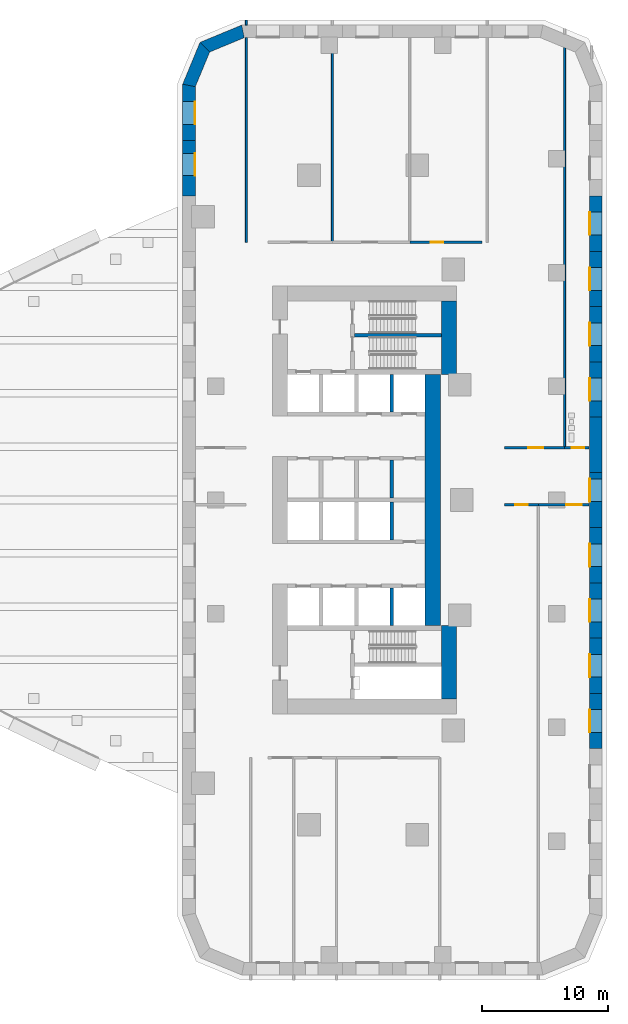
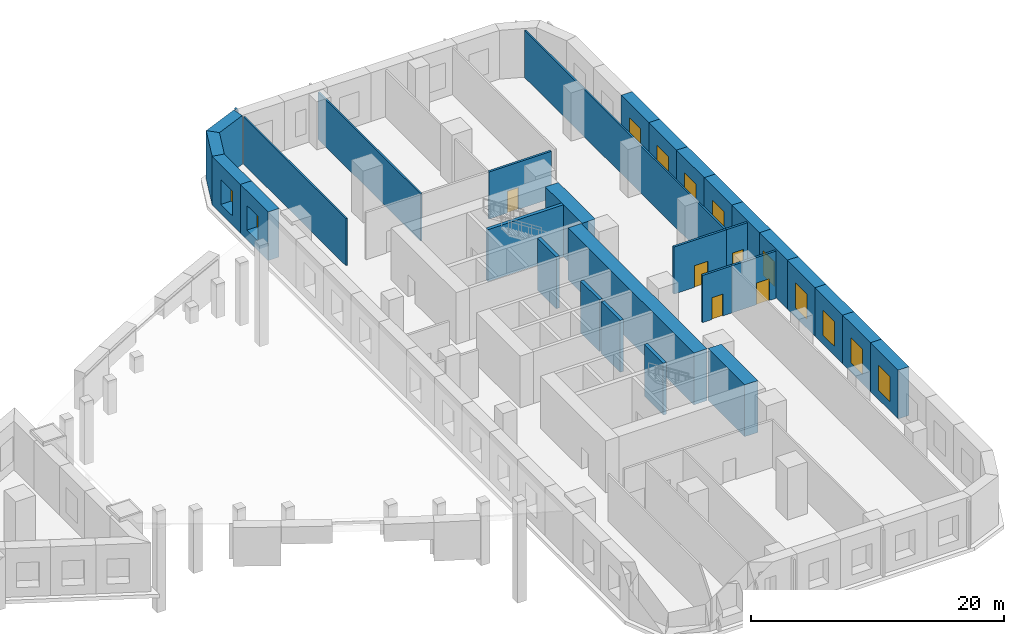
# One storey, part 5 of 11: 31 walls, 11 windows, 5 doors, 16 openings.
"""IFC4 building model written with IfcOpenShell, lengths in metres."""

from ifc_helpers import new_model, si_unit, direction, frame, frame_2d, origin, place, context, subcontext, project, spatial, polyline, rectangle, outline, extrude, material, layer, layer_set, type_object, element, fill, save


model = new_model("IFC4")

# Units and contexts
model_context = context("Model", 3, precision=1e-05, world=origin(), true_north=direction((0.0, 1.0)))
body_context = subcontext(model_context, "Body", "Model", "MODEL_VIEW")
ifc_project = project(units=[si_unit("LENGTHUNIT", "METRE"), si_unit("AREAUNIT", "SQUARE_METRE"), si_unit("VOLUMEUNIT", "CUBIC_METRE"), si_unit("PLANEANGLEUNIT", "RADIAN"), si_unit("MASSUNIT", "GRAM", prefix="KILO")], contexts=[model_context])

# Site, building, storey
site_placement = place(None, origin())
site = spatial("IfcSite", under=ifc_project, at=site_placement, CompositionType="ELEMENT")
building_placement = place(site_placement, origin())
building = spatial("IfcBuilding", under=site, at=building_placement, Name="Ostrand Prow Hotel Tower", CompositionType="ELEMENT")
storey_placement = place(building_placement, frame((0.0, 0.0, 24.0)))
storey = spatial("IfcBuildingStorey", under=building, at=storey_placement, Name="L04", CompositionType="ELEMENT", Elevation=24.0)

# Walls
ifc_material_1 = material(Name="Concrete C80/95", Category="concrete")
ifc_layer_1 = layer(ifc_material_1, 1.199951171875)
ifc_layer_set_1 = layer_set([ifc_layer_1], Name="Concrete C80/95")
wall_type_1 = type_object("IfcWallType", Name="Core wall 1200 C80/95", PredefinedType="SHEAR", material=ifc_layer_set_1)
for number, where, z_axis, x_axis, name in (
    (1, (63.47998046875, 9.949951171875, 0.0), (0.0, 0.0, 1.0), (0.0, 1.0, 0.0), "Core wall CW-E-N"),
    (2, (63.47998046875, -15.75, 0.0), (0.0, 0.0, 1.0), (0.0, 1.0, 0.0), "Core wall CW-E-S"),
):
    element("IfcWall", number, at=place(storey_placement, frame(where, z_axis=z_axis, x_axis=x_axis)), inside=storey, type_object=wall_type_1, Name=name, PredefinedType="SHEAR", context=body_context, shape_type="SweptSolid", body=[
        extrude(rectangle(XDim=5.800048828125, YDim=1.199951171875, at=frame_2d((2.89990234375, 0.0))), origin(), (0.0, 0.0, 1.0), 5.0),
    ])
wall_1_placement = place(storey_placement, frame((62.199951171875, -9.949951171875, 0.0), z_axis=(0.0, 0.0, 1.0), x_axis=(0.0, 1.0, 0.0)))
element("IfcWall", 3, at=wall_1_placement, inside=storey, type_object=wall_type_1, Name="Core wall CW-E-C", PredefinedType="SHEAR", context=body_context, shape_type="SweptSolid", body=[
    extrude(rectangle(XDim=19.89990234375, YDim=1.199951171875, at=frame_2d((9.949951171875, 0.0))), origin(), (0.0, 0.0, 1.0), 5.0),
])
ifc_material_2 = material(Name="Concrete C80/95", Category="concrete")
ifc_layer_2 = layer(ifc_material_2, 0.300048828125)
ifc_layer_set_2 = layer_set([ifc_layer_2], Name="Concrete C80/95")
wall_type_2 = type_object("IfcWallType", Name="Core wall 300 C80/95", PredefinedType="SHEAR", material=ifc_layer_set_2)
for number, where, z_axis, x_axis, name in (
    (4, (58.949951171875, 0.14990234375, 0.0), (0.0, 0.0, 1.0), (0.0, 1.0, 0.0), "Core wall PW-R3-NB"),
    (5, (58.949951171875, 6.949951171875, 0.0), (0.0, 0.0, 1.0), (0.0, 1.0, 0.0), "Core wall PW-R3-NA"),
    (6, (58.949951171875, -3.14990234375, 0.0), (0.0, 0.0, 1.0), (0.0, 1.0, 0.0), "Core wall PW-R3-SB"),
    (7, (58.949951171875, -9.949951171875, 0.0), (0.0, 0.0, 1.0), (0.0, 1.0, 0.0), "Core wall PW-R3-SA"),
):
    element("IfcWall", number, at=place(storey_placement, frame(where, z_axis=z_axis, x_axis=x_axis)), inside=storey, type_object=wall_type_2, Name=name, PredefinedType="SHEAR", context=body_context, shape_type="SweptSolid", body=[
        extrude(rectangle(XDim=3.0, YDim=0.300048828125, at=frame_2d((1.5, 0.0))), origin(), (0.0, 0.0, 1.0), 5.0),
    ])
wall_2_placement = place(storey_placement, frame((56.0, 13.050048828125, 0.0), z_axis=(0.0, 0.0, 1.0), x_axis=(1.0, 0.0, 0.0)))
element("IfcWall", 8, at=wall_2_placement, inside=storey, type_object=wall_type_2, Name="Core wall PW-ST13", PredefinedType="SHEAR", context=body_context, shape_type="SweptSolid", body=[
    extrude(rectangle(XDim=6.8798828125, YDim=0.300048828125, at=frame_2d((3.43994140625, 0.0))), origin(), (0.0, 0.0, 1.0), 5.0),
])
ifc_material_3 = material(Name="Plasterboard partition")
ifc_layer_3 = layer(ifc_material_3, 0.14990234375)
ifc_layer_set_3 = layer_set([ifc_layer_3], Name="Plasterboard partition")
wall_type_3 = type_object("IfcWallType", Name="Partition 150 room partition", PredefinedType="PARTITIONING", material=ifc_layer_set_3)
wall_3_placement = place(storey_placement, frame((47.43994140625, 20.39990234375, 0.0), z_axis=(0.0, 0.0, 1.0), x_axis=(0.0, 1.0, 0.0)))
element("IfcWall", 9, at=wall_3_placement, inside=storey, type_object=wall_type_3, Name="ROOM PARTITION", PredefinedType="PARTITIONING", context=body_context, shape_type="SweptSolid", body=[
    extrude(rectangle(XDim=16.2001953125, YDim=0.14990234375, at=frame_2d((8.10009765625, 0.0))), origin(), (0.0, 0.0, 1.0), 4.550048828125),
])
wall_4_placement = place(storey_placement, frame((47.43994140625, 37.60009765625, 0.0), z_axis=(0.0, 0.0, 1.0), x_axis=(0.0, 1.0, 0.0)))
element("IfcWall", 10, at=wall_4_placement, inside=storey, type_object=wall_type_3, Name="ROOM PARTITION", PredefinedType="PARTITIONING", context=body_context, shape_type="SweptSolid", body=[
    extrude(rectangle(XDim=0.39990234375, YDim=0.14990234375, at=frame_2d((0.199951171875, 0.0))), origin(), (0.0, 0.0, 1.0), 4.550048828125),
])
wall_5_placement = place(storey_placement, frame((54.252197265625, 20.39990234375, 0.0), z_axis=(0.0, 0.0, 1.0), x_axis=(0.0, 1.0, 0.0)))
element("IfcWall", 11, at=wall_5_placement, inside=storey, type_object=wall_type_3, Name="ROOM PARTITION", PredefinedType="PARTITIONING", context=body_context, shape_type="SweptSolid", body=[
    extrude(rectangle(XDim=16.2001953125, YDim=0.14990234375, at=frame_2d((8.10009765625, 0.0))), origin(), (0.0, 0.0, 1.0), 4.550048828125),
])
wall_6_placement = place(storey_placement, frame((72.630615234375, 4.138671875, 0.0), z_axis=(0.0, 0.0, 1.0), x_axis=(0.0, 1.0, 0.0)))
element("IfcWall", 12, at=wall_6_placement, inside=storey, type_object=wall_type_3, Name="ROOM PARTITION", PredefinedType="PARTITIONING", context=body_context, shape_type="SweptSolid", body=[
    extrude(rectangle(XDim=31.67041015625, YDim=0.14990234375, at=frame_2d((15.835205078125, 0.0))), origin(), (0.0, 0.0, 1.0), 4.550048828125),
])

# Wall, opening, door
ifc_material_4 = material(Name="Plasterboard partition")
ifc_layer_4 = layer(ifc_material_4, 0.199951171875)
ifc_layer_set_4 = layer_set([ifc_layer_4], Name="Plasterboard partition")
wall_type_4 = type_object("IfcWallType", Name="Partition 200 corridor wall", PredefinedType="PARTITIONING", material=ifc_layer_set_4)
wall_7_placement = place(storey_placement, frame((67.85888671875, -0.376220703125, 0.0), z_axis=(0.0, 0.0, 1.0), x_axis=(1.0, 0.0, 0.0)))
wall_7 = element("IfcWall", 13, at=wall_7_placement, inside=storey, type_object=wall_type_4, Name="CORRIDOR WALL", PredefinedType="PARTITIONING", context=body_context, shape_type="SweptSolid", body=[
    extrude(rectangle(XDim=2.701171875, YDim=0.199951171875, at=frame_2d((1.3505859375, 0.0))), origin(), (0.0, 0.0, 1.0), 4.550048828125),
])
opening_1_placement = place(wall_7_placement, frame((0.8505859375, 0.0, 0.0)))
opening_1 = element("IfcOpeningElement", 14, at=opening_1_placement, cuts=wall_7, Name="Opening D1R", PredefinedType="OPENING", context=body_context, shape_type="SweptSolid", body=[
    extrude(rectangle(XDim=1.0, YDim=2.10009765625, at=frame_2d((0.5, 1.050048828125))), frame((0.0, 0.10986328125, 0.0), z_axis=(0.0, -1.0, 0.0), x_axis=(1.0, 0.0, 0.0)), (0.0, 0.0, 1.0), 0.219970703125),
])
ifc_material_5 = material(Name="Timber door leaf", Category="wood")
door_type_1 = type_object("IfcDoorType", Name="Guest room door 1000 right", OperationType="SINGLE_SWING_RIGHT", PredefinedType="DOOR", material=ifc_material_5)
door_1_placement = place(opening_1_placement, origin())
door_1 = element("IfcDoor", 15, at=door_1_placement, inside=storey, type_object=door_type_1, Name="DOOR", OperationType="SINGLE_SWING_RIGHT", OverallHeight=2.10009765625, OverallWidth=1.0, PredefinedType="DOOR", context=body_context, shape_type="SweptSolid", body=[
    extrude(rectangle(XDim=1.0, YDim=2.10009765625, at=frame_2d((0.5, 1.050048828125))), frame((0.0, 0.02490234375, 0.0), z_axis=(0.0, -1.0, 0.0), x_axis=(1.0, 0.0, 0.0)), (0.0, 0.0, 1.0), 0.050048828125),
])
fill(opening_1, door_1)

wall_8_placement = place(storey_placement, frame((70.56005859375, -0.376220703125, 0.0), z_axis=(0.0, 0.0, 1.0), x_axis=(1.0, 0.0, 0.0)))
wall_8 = element("IfcWall", 16, at=wall_8_placement, inside=storey, type_object=wall_type_4, Name="CORRIDOR WALL", PredefinedType="PARTITIONING", context=body_context, shape_type="SweptSolid", body=[
    extrude(rectangle(XDim=4.010009765625, YDim=0.199951171875, at=frame_2d((2.0048828125, 0.0))), origin(), (0.0, 0.0, 1.0), 4.550048828125),
])
opening_2_placement = place(wall_8_placement, frame((2.219970703125, 0.0, 0.0)))
opening_2 = element("IfcOpeningElement", 17, at=opening_2_placement, cuts=wall_8, Name="Opening D12", PredefinedType="OPENING", context=body_context, shape_type="SweptSolid", body=[
    extrude(rectangle(XDim=1.199951171875, YDim=2.10009765625, at=frame_2d((0.60009765625, 1.050048828125))), frame((0.0, 0.10986328125, 0.0), z_axis=(0.0, -1.0, 0.0), x_axis=(1.0, 0.0, 0.0)), (0.0, 0.0, 1.0), 0.219970703125),
])
ifc_material_6 = material(Name="Steel service door", Category="steel")
door_type_2 = type_object("IfcDoorType", Name="Service door 1200", OperationType="SINGLE_SWING_RIGHT", PredefinedType="DOOR", material=ifc_material_6)
door_2_placement = place(opening_2_placement, origin())
door_2 = element("IfcDoor", 18, at=door_2_placement, inside=storey, type_object=door_type_2, Name="DOOR", OperationType="SINGLE_SWING_RIGHT", OverallHeight=2.10009765625, OverallWidth=1.199951171875, PredefinedType="DOOR", context=body_context, shape_type="SweptSolid", body=[
    extrude(rectangle(XDim=1.199951171875, YDim=2.10009765625, at=frame_2d((0.60009765625, 1.050048828125))), frame((0.0, 0.02490234375, 0.0), z_axis=(0.0, -1.0, 0.0), x_axis=(1.0, 0.0, 0.0)), (0.0, 0.0, 1.0), 0.050048828125),
])
fill(opening_2, door_2)

wall_9_placement = place(storey_placement, frame((67.85888671875, 4.138671875, 0.0), z_axis=(0.0, 0.0, 1.0), x_axis=(1.0, 0.0, 0.0)))
wall_9 = element("IfcWall", 19, at=wall_9_placement, inside=storey, type_object=wall_type_4, Name="CORRIDOR WALL", PredefinedType="PARTITIONING", context=body_context, shape_type="SweptSolid", body=[
    extrude(rectangle(XDim=4.771728515625, YDim=0.199951171875, at=frame_2d((2.3857421875, 0.0))), origin(), (0.0, 0.0, 1.0), 4.550048828125),
])
opening_3_placement = place(wall_9_placement, frame((1.8857421875, 0.0, 0.0)))
opening_3 = element("IfcOpeningElement", 20, at=opening_3_placement, cuts=wall_9, Name="Opening D12", PredefinedType="OPENING", context=body_context, shape_type="SweptSolid", body=[
    extrude(rectangle(XDim=1.199951171875, YDim=2.10009765625, at=frame_2d((0.60009765625, 1.050048828125))), frame((0.0, 0.10986328125, 0.0), z_axis=(0.0, -1.0, 0.0), x_axis=(1.0, 0.0, 0.0)), (0.0, 0.0, 1.0), 0.219970703125),
])
door_3_placement = place(opening_3_placement, origin())
door_3 = element("IfcDoor", 21, at=door_3_placement, inside=storey, type_object=door_type_2, Name="DOOR", OperationType="SINGLE_SWING_RIGHT", OverallHeight=2.10009765625, OverallWidth=1.199951171875, PredefinedType="DOOR", context=body_context, shape_type="SweptSolid", body=[
    extrude(rectangle(XDim=1.199951171875, YDim=2.10009765625, at=frame_2d((0.60009765625, 1.050048828125))), frame((0.0, 0.02490234375, 0.0), z_axis=(0.0, -1.0, 0.0), x_axis=(1.0, 0.0, 0.0)), (0.0, 0.0, 1.0), 0.050048828125),
])
fill(opening_3, door_3)

wall_10_placement = place(storey_placement, frame((72.630615234375, 4.138671875, 0.0), z_axis=(0.0, 0.0, 1.0), x_axis=(1.0, 0.0, 0.0)))
wall_10 = element("IfcWall", 22, at=wall_10_placement, inside=storey, type_object=wall_type_4, Name="CORRIDOR WALL", PredefinedType="PARTITIONING", context=body_context, shape_type="SweptSolid", body=[
    extrude(rectangle(XDim=1.939453125, YDim=0.199951171875, at=frame_2d((0.9697265625, 0.0))), origin(), (0.0, 0.0, 1.0), 4.550048828125),
])
opening_4_placement = place(wall_10_placement, frame((0.572021484375, 0.0, 0.0)))
opening_4 = element("IfcOpeningElement", 23, at=opening_4_placement, cuts=wall_10, Name="Opening D1R", PredefinedType="OPENING", context=body_context, shape_type="SweptSolid", body=[
    extrude(rectangle(XDim=1.0, YDim=2.10009765625, at=frame_2d((0.5, 1.050048828125))), frame((0.0, 0.10986328125, 0.0), z_axis=(0.0, -1.0, 0.0), x_axis=(1.0, 0.0, 0.0)), (0.0, 0.0, 1.0), 0.219970703125),
])
door_4_placement = place(opening_4_placement, origin())
door_4 = element("IfcDoor", 24, at=door_4_placement, inside=storey, type_object=door_type_1, Name="DOOR", OperationType="SINGLE_SWING_RIGHT", OverallHeight=2.10009765625, OverallWidth=1.0, PredefinedType="DOOR", context=body_context, shape_type="SweptSolid", body=[
    extrude(rectangle(XDim=1.0, YDim=2.10009765625, at=frame_2d((0.5, 1.050048828125))), frame((0.0, 0.02490234375, 0.0), z_axis=(0.0, -1.0, 0.0), x_axis=(1.0, 0.0, 0.0)), (0.0, 0.0, 1.0), 0.050048828125),
])
fill(opening_4, door_4)

wall_11_placement = place(storey_placement, frame((66.090087890625, 20.39990234375, 0.0), z_axis=(0.0, 0.0, 1.0), x_axis=(-1.0, 0.0, 0.0)))
wall_11 = element("IfcWall", 25, at=wall_11_placement, inside=storey, type_object=wall_type_4, Name="CORRIDOR WALL", PredefinedType="PARTITIONING", context=body_context, shape_type="SweptSolid", body=[
    extrude(rectangle(XDim=5.711669921875, YDim=0.199951171875, at=frame_2d((2.85595703125, 0.0))), origin(), (0.0, 0.0, 1.0), 4.550048828125),
])
opening_5_placement = place(wall_11_placement, frame((3.050048828125, 0.0, 0.0)))
opening_5 = element("IfcOpeningElement", 26, at=opening_5_placement, cuts=wall_11, Name="Opening D1R", PredefinedType="OPENING", context=body_context, shape_type="SweptSolid", body=[
    extrude(rectangle(XDim=1.0, YDim=2.10009765625, at=frame_2d((0.5, 1.050048828125))), frame((0.0, 0.10986328125, 0.0), z_axis=(0.0, -1.0, 0.0), x_axis=(1.0, 0.0, 0.0)), (0.0, 0.0, 1.0), 0.219970703125),
])
door_5_placement = place(opening_5_placement, origin())
door_5 = element("IfcDoor", 27, at=door_5_placement, inside=storey, type_object=door_type_1, Name="DOOR", OperationType="SINGLE_SWING_RIGHT", OverallHeight=2.10009765625, OverallWidth=1.0, PredefinedType="DOOR", context=body_context, shape_type="SweptSolid", body=[
    extrude(rectangle(XDim=1.0, YDim=2.10009765625, at=frame_2d((0.5, 1.050048828125))), frame((0.0, 0.02490234375, 0.0), z_axis=(0.0, -1.0, 0.0), x_axis=(1.0, 0.0, 0.0)), (0.0, 0.0, 1.0), 0.050048828125),
])
fill(opening_5, door_5)

# Wall, opening, window
ifc_material_7 = material(Name="Precast concrete C40/50", Category="concrete")
ifc_layer_5 = layer(ifc_material_7, 1.0)
ifc_layer_set_5 = layer_set([ifc_layer_5], Name="Precast concrete C40/50")
wall_type_5 = type_object("IfcWallType", Name="Portal pier wall 1000 mm", PredefinedType="NOTDEFINED", material=ifc_layer_set_5)
wall_12_placement = place(storey_placement, frame((75.10009765625, -19.692626953125, 0.0), z_axis=(0.0, 0.0, 1.0), x_axis=(0.0, 1.0, 0.0)))
wall_12 = element("IfcWall", 28, at=wall_12_placement, inside=storey, type_object=wall_type_5, Name="Portal pier wall L04-PP111", PredefinedType="NOTDEFINED", context=body_context, shape_type="SweptSolid", body=[
    extrude(outline(polyline([(0.0, -0.5), (4.376220703125, -0.5), (4.376220703125, 0.5), (0.0, 0.5), (0.0, -0.5)])), origin(), (0.0, 0.0, 1.0), 4.699951171875),
])
opening_6_placement = place(wall_12_placement, frame((1.2880859375, 0.0, 0.89990234375)))
opening_6 = element("IfcOpeningElement", 29, at=opening_6_placement, cuts=wall_12, Name="Opening WP2", PredefinedType="OPENING", context=body_context, shape_type="SweptSolid", body=[
    extrude(rectangle(XDim=1.800048828125, YDim=2.39990234375, at=frame_2d((0.89990234375, 1.199951171875))), frame((0.0, 0.510009765625, 0.0), z_axis=(0.0, -1.0, 0.0), x_axis=(1.0, 0.0, 0.0)), (0.0, 0.0, 1.0), 1.02001953125),
])
ifc_material_8 = material(Name="Insulated glass in bronze anodised frame", Category="glass")
window_type = type_object("IfcWindowType", Name="Portal window 1800x2400", PartitioningType="SINGLE_PANEL", PredefinedType="WINDOW", material=ifc_material_8)
window_1_placement = place(opening_6_placement, origin())
window_1 = element("IfcWindow", 30, at=window_1_placement, inside=storey, type_object=window_type, Name="Portal window L04-PP111", OverallHeight=2.39990234375, OverallWidth=1.800048828125, PartitioningType="SINGLE_PANEL", PredefinedType="WINDOW", context=body_context, shape_type="SweptSolid", body=[
    extrude(rectangle(XDim=1.800048828125, YDim=2.39990234375, at=frame_2d((0.89990234375, 1.199951171875))), frame((0.0, 0.5, 0.0), z_axis=(0.0, -1.0, 0.0), x_axis=(1.0, 0.0, 0.0)), (0.0, 0.0, 1.0), 0.06005859375),
])
fill(opening_6, window_1)

wall_13_placement = place(storey_placement, frame((75.10009765625, -15.31640625, 0.0), z_axis=(0.0, 0.0, 1.0), x_axis=(0.0, 1.0, 0.0)))
wall_13 = element("IfcWall", 31, at=wall_13_placement, inside=storey, type_object=wall_type_5, Name="Portal pier wall L04-PP112", PredefinedType="NOTDEFINED", context=body_context, shape_type="SweptSolid", body=[
    extrude(outline(polyline([(0.0, -0.5), (4.376220703125, -0.5), (4.376220703125, 0.5), (0.0, 0.5), (0.0, -0.5)])), origin(), (0.0, 0.0, 1.0), 4.699951171875),
])
opening_7_placement = place(wall_13_placement, frame((1.2880859375, 0.0, 0.89990234375)))
opening_7 = element("IfcOpeningElement", 32, at=opening_7_placement, cuts=wall_13, Name="Opening WP2", PredefinedType="OPENING", context=body_context, shape_type="SweptSolid", body=[
    extrude(rectangle(XDim=1.800048828125, YDim=2.39990234375, at=frame_2d((0.89990234375, 1.199951171875))), frame((0.0, 0.510009765625, 0.0), z_axis=(0.0, -1.0, 0.0), x_axis=(1.0, 0.0, 0.0)), (0.0, 0.0, 1.0), 1.02001953125),
])
window_2_placement = place(opening_7_placement, origin())
window_2 = element("IfcWindow", 33, at=window_2_placement, inside=storey, type_object=window_type, Name="Portal window L04-PP112", OverallHeight=2.39990234375, OverallWidth=1.800048828125, PartitioningType="SINGLE_PANEL", PredefinedType="WINDOW", context=body_context, shape_type="SweptSolid", body=[
    extrude(rectangle(XDim=1.800048828125, YDim=2.39990234375, at=frame_2d((0.89990234375, 1.199951171875))), frame((0.0, 0.5, 0.0), z_axis=(0.0, -1.0, 0.0), x_axis=(1.0, 0.0, 0.0)), (0.0, 0.0, 1.0), 0.06005859375),
])
fill(opening_7, window_2)

wall_14_placement = place(storey_placement, frame((75.10009765625, -10.940185546875, 0.0), z_axis=(0.0, 0.0, 1.0), x_axis=(0.0, 1.0, 0.0)))
wall_14 = element("IfcWall", 34, at=wall_14_placement, inside=storey, type_object=wall_type_5, Name="Portal pier wall L04-PP113", PredefinedType="NOTDEFINED", context=body_context, shape_type="SweptSolid", body=[
    extrude(outline(polyline([(0.0, -0.5), (4.3759765625, -0.5), (4.3759765625, 0.5), (0.0, 0.5), (0.0, -0.5)])), origin(), (0.0, 0.0, 1.0), 4.699951171875),
])
opening_8_placement = place(wall_14_placement, frame((1.2880859375, 0.0, 0.89990234375)))
opening_8 = element("IfcOpeningElement", 35, at=opening_8_placement, cuts=wall_14, Name="Opening WP2", PredefinedType="OPENING", context=body_context, shape_type="SweptSolid", body=[
    extrude(rectangle(XDim=1.800048828125, YDim=2.39990234375, at=frame_2d((0.89990234375, 1.199951171875))), frame((0.0, 0.510009765625, 0.0), z_axis=(0.0, -1.0, 0.0), x_axis=(1.0, 0.0, 0.0)), (0.0, 0.0, 1.0), 1.02001953125),
])
window_3_placement = place(opening_8_placement, origin())
window_3 = element("IfcWindow", 36, at=window_3_placement, inside=storey, type_object=window_type, Name="Portal window L04-PP113", OverallHeight=2.39990234375, OverallWidth=1.800048828125, PartitioningType="SINGLE_PANEL", PredefinedType="WINDOW", context=body_context, shape_type="SweptSolid", body=[
    extrude(rectangle(XDim=1.800048828125, YDim=2.39990234375, at=frame_2d((0.89990234375, 1.199951171875))), frame((0.0, 0.5, 0.0), z_axis=(0.0, -1.0, 0.0), x_axis=(1.0, 0.0, 0.0)), (0.0, 0.0, 1.0), 0.06005859375),
])
fill(opening_8, window_3)

wall_15_placement = place(storey_placement, frame((75.10009765625, -6.564208984375, 0.0), z_axis=(0.0, 0.0, 1.0), x_axis=(0.0, 1.0, 0.0)))
wall_15 = element("IfcWall", 37, at=wall_15_placement, inside=storey, type_object=wall_type_5, Name="Portal pier wall L04-PP114", PredefinedType="NOTDEFINED", context=body_context, shape_type="SweptSolid", body=[
    extrude(outline(polyline([(0.0, -0.5), (4.376220703125, -0.5), (4.376220703125, 0.5), (0.0, 0.5), (0.0, -0.5)])), origin(), (0.0, 0.0, 1.0), 4.699951171875),
])
opening_9_placement = place(wall_15_placement, frame((1.2880859375, 0.0, 0.89990234375)))
opening_9 = element("IfcOpeningElement", 38, at=opening_9_placement, cuts=wall_15, Name="Opening WP2", PredefinedType="OPENING", context=body_context, shape_type="SweptSolid", body=[
    extrude(rectangle(XDim=1.800048828125, YDim=2.39990234375, at=frame_2d((0.89990234375, 1.199951171875))), frame((0.0, 0.510009765625, 0.0), z_axis=(0.0, -1.0, 0.0), x_axis=(1.0, 0.0, 0.0)), (0.0, 0.0, 1.0), 1.02001953125),
])
window_4_placement = place(opening_9_placement, origin())
window_4 = element("IfcWindow", 39, at=window_4_placement, inside=storey, type_object=window_type, Name="Portal window L04-PP114", OverallHeight=2.39990234375, OverallWidth=1.800048828125, PartitioningType="SINGLE_PANEL", PredefinedType="WINDOW", context=body_context, shape_type="SweptSolid", body=[
    extrude(rectangle(XDim=1.800048828125, YDim=2.39990234375, at=frame_2d((0.89990234375, 1.199951171875))), frame((0.0, 0.5, 0.0), z_axis=(0.0, -1.0, 0.0), x_axis=(1.0, 0.0, 0.0)), (0.0, 0.0, 1.0), 0.06005859375),
])
fill(opening_9, window_4)

wall_16_placement = place(storey_placement, frame((75.10009765625, -2.18798828125, 0.0), z_axis=(0.0, 0.0, 1.0), x_axis=(0.0, 1.0, 0.0)))
wall_16 = element("IfcWall", 40, at=wall_16_placement, inside=storey, type_object=wall_type_5, Name="Portal pier wall L04-PP115", PredefinedType="NOTDEFINED", context=body_context, shape_type="SweptSolid", body=[
    extrude(outline(polyline([(0.0, -0.5), (4.3759765625, -0.5), (4.3759765625, 0.5), (0.0, 0.5), (0.0, -0.5)])), origin(), (0.0, 0.0, 1.0), 4.699951171875),
])
opening_10_placement = place(wall_16_placement, frame((2.068115234375, 0.0, 0.89990234375)))
opening_10 = element("IfcOpeningElement", 41, at=opening_10_placement, cuts=wall_16, Name="Opening WP2", PredefinedType="OPENING", context=body_context, shape_type="SweptSolid", body=[
    extrude(rectangle(XDim=1.800048828125, YDim=2.39990234375, at=frame_2d((0.89990234375, 1.199951171875))), frame((0.0, 0.510009765625, 0.0), z_axis=(0.0, -1.0, 0.0), x_axis=(1.0, 0.0, 0.0)), (0.0, 0.0, 1.0), 1.02001953125),
])
window_5_placement = place(opening_10_placement, origin())
window_5 = element("IfcWindow", 42, at=window_5_placement, inside=storey, type_object=window_type, Name="Portal window L04-PP115", OverallHeight=2.39990234375, OverallWidth=1.800048828125, PartitioningType="SINGLE_PANEL", PredefinedType="WINDOW", context=body_context, shape_type="SweptSolid", body=[
    extrude(rectangle(XDim=1.800048828125, YDim=2.39990234375, at=frame_2d((0.89990234375, 1.199951171875))), frame((0.0, 0.5, 0.0), z_axis=(0.0, -1.0, 0.0), x_axis=(1.0, 0.0, 0.0)), (0.0, 0.0, 1.0), 0.06005859375),
])
fill(opening_10, window_5)

# Wall
wall_17_placement = place(storey_placement, frame((75.10009765625, 2.18798828125, 0.0), z_axis=(0.0, 0.0, 1.0), x_axis=(0.0, 1.0, 0.0)))
element("IfcWall", 43, at=wall_17_placement, inside=storey, type_object=wall_type_5, Name="Portal pier wall L04-PP116", PredefinedType="NOTDEFINED", context=body_context, shape_type="SweptSolid", body=[
    extrude(outline(polyline([(0.0, -0.5), (4.376220703125, -0.5), (4.376220703125, 0.5), (0.0, 0.5), (0.0, -0.5)])), origin(), (0.0, 0.0, 1.0), 4.699951171875),
])

# Wall, opening, window
wall_18_placement = place(storey_placement, frame((75.10009765625, 6.564208984375, 0.0), z_axis=(0.0, 0.0, 1.0), x_axis=(0.0, 1.0, 0.0)))
wall_18 = element("IfcWall", 44, at=wall_18_placement, inside=storey, type_object=wall_type_5, Name="Portal pier wall L04-PP117", PredefinedType="NOTDEFINED", context=body_context, shape_type="SweptSolid", body=[
    extrude(outline(polyline([(0.0, -0.5), (4.3759765625, -0.5), (4.3759765625, 0.5), (0.0, 0.5), (0.0, -0.5)])), origin(), (0.0, 0.0, 1.0), 4.699951171875),
])
opening_11_placement = place(wall_18_placement, frame((1.2880859375, 0.0, 0.89990234375)))
opening_11 = element("IfcOpeningElement", 45, at=opening_11_placement, cuts=wall_18, Name="Opening WP2", PredefinedType="OPENING", context=body_context, shape_type="SweptSolid", body=[
    extrude(rectangle(XDim=1.800048828125, YDim=2.39990234375, at=frame_2d((0.89990234375, 1.199951171875))), frame((0.0, 0.510009765625, 0.0), z_axis=(0.0, -1.0, 0.0), x_axis=(1.0, 0.0, 0.0)), (0.0, 0.0, 1.0), 1.02001953125),
])
window_6_placement = place(opening_11_placement, origin())
window_6 = element("IfcWindow", 46, at=window_6_placement, inside=storey, type_object=window_type, Name="Portal window L04-PP117", OverallHeight=2.39990234375, OverallWidth=1.800048828125, PartitioningType="SINGLE_PANEL", PredefinedType="WINDOW", context=body_context, shape_type="SweptSolid", body=[
    extrude(rectangle(XDim=1.800048828125, YDim=2.39990234375, at=frame_2d((0.89990234375, 1.199951171875))), frame((0.0, 0.5, 0.0), z_axis=(0.0, -1.0, 0.0), x_axis=(1.0, 0.0, 0.0)), (0.0, 0.0, 1.0), 0.06005859375),
])
fill(opening_11, window_6)

wall_19_placement = place(storey_placement, frame((75.10009765625, 10.940185546875, 0.0), z_axis=(0.0, 0.0, 1.0), x_axis=(0.0, 1.0, 0.0)))
wall_19 = element("IfcWall", 47, at=wall_19_placement, inside=storey, type_object=wall_type_5, Name="Portal pier wall L04-PP118", PredefinedType="NOTDEFINED", context=body_context, shape_type="SweptSolid", body=[
    extrude(outline(polyline([(0.0, -0.5), (4.376220703125, -0.5), (4.376220703125, 0.5), (0.0, 0.5), (0.0, -0.5)])), origin(), (0.0, 0.0, 1.0), 4.699951171875),
])
opening_12_placement = place(wall_19_placement, frame((1.2880859375, 0.0, 0.89990234375)))
opening_12 = element("IfcOpeningElement", 48, at=opening_12_placement, cuts=wall_19, Name="Opening WP2", PredefinedType="OPENING", context=body_context, shape_type="SweptSolid", body=[
    extrude(rectangle(XDim=1.800048828125, YDim=2.39990234375, at=frame_2d((0.89990234375, 1.199951171875))), frame((0.0, 0.510009765625, 0.0), z_axis=(0.0, -1.0, 0.0), x_axis=(1.0, 0.0, 0.0)), (0.0, 0.0, 1.0), 1.02001953125),
])
window_7_placement = place(opening_12_placement, origin())
window_7 = element("IfcWindow", 49, at=window_7_placement, inside=storey, type_object=window_type, Name="Portal window L04-PP118", OverallHeight=2.39990234375, OverallWidth=1.800048828125, PartitioningType="SINGLE_PANEL", PredefinedType="WINDOW", context=body_context, shape_type="SweptSolid", body=[
    extrude(rectangle(XDim=1.800048828125, YDim=2.39990234375, at=frame_2d((0.89990234375, 1.199951171875))), frame((0.0, 0.5, 0.0), z_axis=(0.0, -1.0, 0.0), x_axis=(1.0, 0.0, 0.0)), (0.0, 0.0, 1.0), 0.06005859375),
])
fill(opening_12, window_7)

wall_20_placement = place(storey_placement, frame((75.10009765625, 15.31640625, 0.0), z_axis=(0.0, 0.0, 1.0), x_axis=(0.0, 1.0, 0.0)))
wall_20 = element("IfcWall", 50, at=wall_20_placement, inside=storey, type_object=wall_type_5, Name="Portal pier wall L04-PP119", PredefinedType="NOTDEFINED", context=body_context, shape_type="SweptSolid", body=[
    extrude(outline(polyline([(0.0, -0.5), (4.376220703125, -0.5), (4.376220703125, 0.5), (0.0, 0.5), (0.0, -0.5)])), origin(), (0.0, 0.0, 1.0), 4.699951171875),
])
opening_13_placement = place(wall_20_placement, frame((1.2880859375, 0.0, 0.89990234375)))
opening_13 = element("IfcOpeningElement", 51, at=opening_13_placement, cuts=wall_20, Name="Opening WP2", PredefinedType="OPENING", context=body_context, shape_type="SweptSolid", body=[
    extrude(rectangle(XDim=1.800048828125, YDim=2.39990234375, at=frame_2d((0.89990234375, 1.199951171875))), frame((0.0, 0.510009765625, 0.0), z_axis=(0.0, -1.0, 0.0), x_axis=(1.0, 0.0, 0.0)), (0.0, 0.0, 1.0), 1.02001953125),
])
window_8_placement = place(opening_13_placement, origin())
window_8 = element("IfcWindow", 52, at=window_8_placement, inside=storey, type_object=window_type, Name="Portal window L04-PP119", OverallHeight=2.39990234375, OverallWidth=1.800048828125, PartitioningType="SINGLE_PANEL", PredefinedType="WINDOW", context=body_context, shape_type="SweptSolid", body=[
    extrude(rectangle(XDim=1.800048828125, YDim=2.39990234375, at=frame_2d((0.89990234375, 1.199951171875))), frame((0.0, 0.5, 0.0), z_axis=(0.0, -1.0, 0.0), x_axis=(1.0, 0.0, 0.0)), (0.0, 0.0, 1.0), 0.06005859375),
])
fill(opening_13, window_8)

wall_21_placement = place(storey_placement, frame((75.10009765625, 19.692626953125, 0.0), z_axis=(0.0, 0.0, 1.0), x_axis=(0.0, 1.0, 0.0)))
wall_21 = element("IfcWall", 53, at=wall_21_placement, inside=storey, type_object=wall_type_5, Name="Portal pier wall L04-PP120", PredefinedType="NOTDEFINED", context=body_context, shape_type="SweptSolid", body=[
    extrude(outline(polyline([(0.0, -0.5), (4.3759765625, -0.5), (4.3759765625, 0.5), (0.0, 0.5), (0.0, -0.5)])), origin(), (0.0, 0.0, 1.0), 4.699951171875),
])
opening_14_placement = place(wall_21_placement, frame((1.2880859375, 0.0, 0.89990234375)))
opening_14 = element("IfcOpeningElement", 54, at=opening_14_placement, cuts=wall_21, Name="Opening WP2", PredefinedType="OPENING", context=body_context, shape_type="SweptSolid", body=[
    extrude(rectangle(XDim=1.800048828125, YDim=2.39990234375, at=frame_2d((0.89990234375, 1.199951171875))), frame((0.0, 0.510009765625, 0.0), z_axis=(0.0, -1.0, 0.0), x_axis=(1.0, 0.0, 0.0)), (0.0, 0.0, 1.0), 1.02001953125),
])
window_9_placement = place(opening_14_placement, origin())
window_9 = element("IfcWindow", 55, at=window_9_placement, inside=storey, type_object=window_type, Name="Portal window L04-PP120", OverallHeight=2.39990234375, OverallWidth=1.800048828125, PartitioningType="SINGLE_PANEL", PredefinedType="WINDOW", context=body_context, shape_type="SweptSolid", body=[
    extrude(rectangle(XDim=1.800048828125, YDim=2.39990234375, at=frame_2d((0.89990234375, 1.199951171875))), frame((0.0, 0.5, 0.0), z_axis=(0.0, -1.0, 0.0), x_axis=(1.0, 0.0, 0.0)), (0.0, 0.0, 1.0), 0.06005859375),
])
fill(opening_14, window_9)

# Walls
wall_22_placement = place(storey_placement, frame((47.178955078125, 37.10009765625, 0.0), z_axis=(0.0, 0.0, 1.0), x_axis=(-0.923862365102, -0.382724875529, 0.0)))
element("IfcWall", 56, at=wall_22_placement, inside=storey, type_object=wall_type_5, Name="Portal pier wall L04-PP131", PredefinedType="NOTDEFINED", context=body_context, shape_type="SweptSolid", body=[
    extrude(outline(polyline([(-0.099609375, -0.5), (3.48193359375, -0.5), (3.06787109375, 0.5), (0.099609375, 0.5), (-0.099609375, -0.5)])), origin(), (0.0, 0.0, 1.0), 4.699951171875),
])
wall_23_placement = place(storey_placement, frame((44.1533203125, 35.8466796875, 0.0), z_axis=(0.0, 0.0, 1.0), x_axis=(-0.382724875529, -0.923862365102, 0.0)))
element("IfcWall", 57, at=wall_23_placement, inside=storey, type_object=wall_type_5, Name="Portal pier wall L04-PP132", PredefinedType="NOTDEFINED", context=body_context, shape_type="SweptSolid", body=[
    extrude(outline(polyline([(-0.20703125, -0.5), (3.37451171875, -0.5), (3.17529296875, 0.5), (0.20703125, 0.5), (-0.20703125, -0.5)])), origin(), (0.0, 0.0, 1.0), 4.699951171875),
])

# Wall, opening, window
wall_24_placement = place(storey_placement, frame((42.89990234375, 32.821044921875, 0.0), z_axis=(0.0, 0.0, 1.0), x_axis=(0.0, -1.0, 0.0)))
wall_24 = element("IfcWall", 58, at=wall_24_placement, inside=storey, type_object=wall_type_5, Name="Portal pier wall L04-PP133", PredefinedType="NOTDEFINED", context=body_context, shape_type="SweptSolid", body=[
    extrude(outline(polyline([(-0.099609375, -0.5), (4.376220703125, -0.5), (4.376220703125, 0.5), (0.099609375, 0.5), (-0.099609375, -0.5)])), origin(), (0.0, 0.0, 1.0), 4.699951171875),
])
opening_15_placement = place(wall_24_placement, frame((1.2880859375, 0.0, 0.89990234375)))
opening_15 = element("IfcOpeningElement", 59, at=opening_15_placement, cuts=wall_24, Name="Opening WP2", PredefinedType="OPENING", context=body_context, shape_type="SweptSolid", body=[
    extrude(rectangle(XDim=1.800048828125, YDim=2.39990234375, at=frame_2d((0.89990234375, 1.199951171875))), frame((0.0, 0.510009765625, 0.0), z_axis=(0.0, -1.0, 0.0), x_axis=(1.0, 0.0, 0.0)), (0.0, 0.0, 1.0), 1.02001953125),
])
window_10_placement = place(opening_15_placement, origin())
window_10 = element("IfcWindow", 60, at=window_10_placement, inside=storey, type_object=window_type, Name="Portal window L04-PP133", OverallHeight=2.39990234375, OverallWidth=1.800048828125, PartitioningType="SINGLE_PANEL", PredefinedType="WINDOW", context=body_context, shape_type="SweptSolid", body=[
    extrude(rectangle(XDim=1.800048828125, YDim=2.39990234375, at=frame_2d((0.89990234375, 1.199951171875))), frame((0.0, 0.5, 0.0), z_axis=(0.0, -1.0, 0.0), x_axis=(1.0, 0.0, 0.0)), (0.0, 0.0, 1.0), 0.06005859375),
])
fill(opening_15, window_10)

wall_25_placement = place(storey_placement, frame((42.89990234375, 28.44482421875, 0.0), z_axis=(0.0, 0.0, 1.0), x_axis=(0.0, -1.0, 0.0)))
wall_25 = element("IfcWall", 61, at=wall_25_placement, inside=storey, type_object=wall_type_5, Name="Portal pier wall L04-PP134", PredefinedType="NOTDEFINED", context=body_context, shape_type="SweptSolid", body=[
    extrude(outline(polyline([(0.0, -0.5), (4.376220703125, -0.5), (4.376220703125, 0.5), (0.0, 0.5), (0.0, -0.5)])), origin(), (0.0, 0.0, 1.0), 4.699951171875),
])
opening_16_placement = place(wall_25_placement, frame((1.0, 0.0, 0.89990234375)))
opening_16 = element("IfcOpeningElement", 62, at=opening_16_placement, cuts=wall_25, Name="Opening WP2", PredefinedType="OPENING", context=body_context, shape_type="SweptSolid", body=[
    extrude(rectangle(XDim=1.760498046875, YDim=2.39990234375, at=frame_2d((0.88037109375, 1.199951171875))), frame((0.0, 0.510009765625, 0.0), z_axis=(0.0, -1.0, 0.0), x_axis=(1.0, 0.0, 0.0)), (0.0, 0.0, 1.0), 1.02001953125),
])
window_11_placement = place(opening_16_placement, origin())
window_11 = element("IfcWindow", 63, at=window_11_placement, inside=storey, type_object=window_type, Name="Portal window L04-PP134", OverallHeight=2.39990234375, OverallWidth=1.760498046875, PartitioningType="SINGLE_PANEL", PredefinedType="WINDOW", context=body_context, shape_type="SweptSolid", body=[
    extrude(rectangle(XDim=1.760498046875, YDim=2.39990234375, at=frame_2d((0.88037109375, 1.199951171875))), frame((0.0, 0.5, 0.0), z_axis=(0.0, -1.0, 0.0), x_axis=(1.0, 0.0, 0.0)), (0.0, 0.0, 1.0), 0.06005859375),
])
fill(opening_16, window_11)

save(model, "model.ifc")
